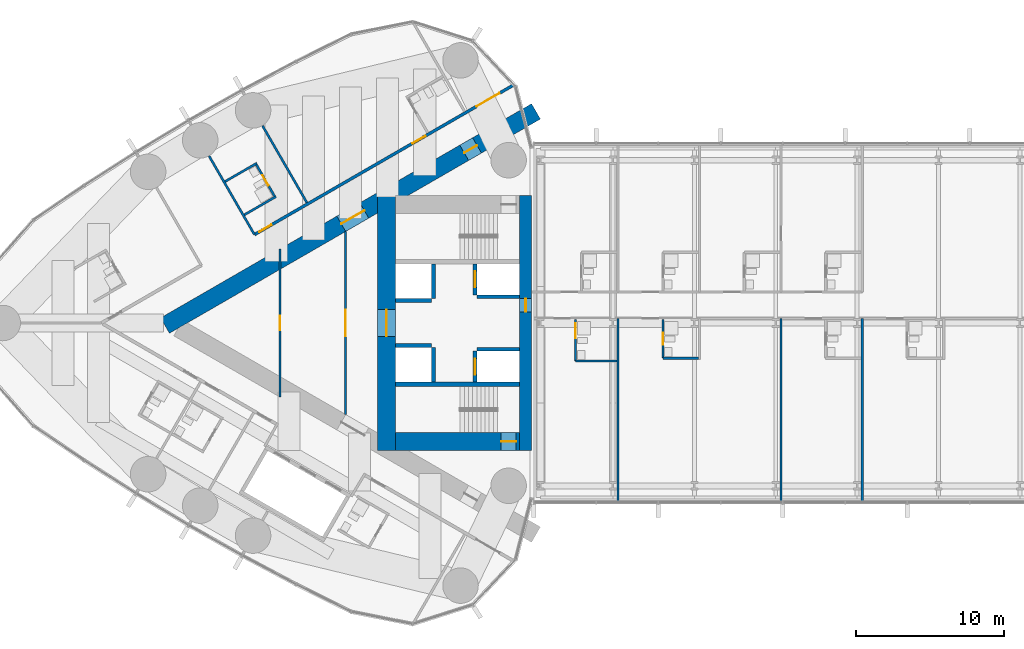
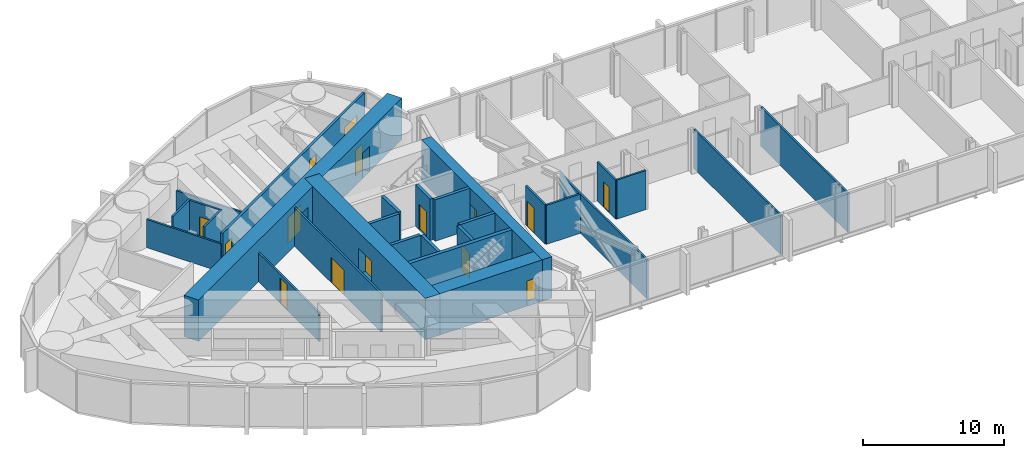
# One storey, part 15 of 22: 28 walls, 15 doors, 15 openings.
"""IFC4 building model written with IfcOpenShell, lengths in metres."""

from ifc_helpers import new_model, si_unit, direction, frame, frame_2d, origin, place, context, subcontext, project, spatial, rectangle, extrude, material, layer, layer_set, type_object, element, fill, save


model = new_model("IFC4")

# Units and contexts
model_context = context("Model", 3, precision=1e-05, world=origin(), true_north=direction((0.0, 1.0)))
body_context = subcontext(model_context, "Body", "Model", "MODEL_VIEW")
ifc_project = project(units=[si_unit("LENGTHUNIT", "METRE"), si_unit("AREAUNIT", "SQUARE_METRE"), si_unit("VOLUMEUNIT", "CUBIC_METRE"), si_unit("PLANEANGLEUNIT", "RADIAN"), si_unit("MASSUNIT", "GRAM", prefix="KILO")], contexts=[model_context])

# Site, building, storey
site_placement = place(None, origin())
site = spatial("IfcSite", under=ifc_project, at=site_placement, CompositionType="ELEMENT")
building_placement = place(site_placement, origin())
building = spatial("IfcBuilding", under=site, at=building_placement, Name="Lancet Gate Hotel", CompositionType="ELEMENT")
storey_placement = place(building_placement, frame((0.0, 0.0, 229.699951171875)))
storey = spatial("IfcBuildingStorey", under=building, at=storey_placement, Name="L61", CompositionType="ELEMENT", Elevation=229.699951171875)

# Wall
ifc_material_1 = material(Name="Moisture resistant board partition")
ifc_layer_1 = layer(ifc_material_1, 0.14990234375)
ifc_layer_set_1 = layer_set([ifc_layer_1], Name="Bathroom wall 150")
wall_type_1 = type_object("IfcWallType", Name="Bathroom wall 150", PredefinedType="PARTITIONING", material=ifc_layer_set_1)
wall_1_placement = place(storey_placement, frame((-46.065185546875, 10.798095703125, 0.0), z_axis=(0.0, 0.0, 1.0), x_axis=(-0.866031185235, -0.4999899861, 0.0)))
element("IfcWall", 1, at=wall_1_placement, inside=storey, type_object=wall_type_1, Name="T1 bathroom wall 150 L61", PredefinedType="PARTITIONING", context=body_context, shape_type="SweptSolid", body=[
    extrude(rectangle(XDim=2.47509765625, YDim=0.14990234375, at=frame_2d((1.237548828125, 0.0))), origin(), (0.0, 0.0, 1.0), 3.35009765625),
])

# Wall, opening, door
wall_2_placement = place(storey_placement, frame((-44.830322265625, 8.509033203125, 0.0), z_axis=(0.0, 0.0, 1.0), x_axis=(-0.499936506574, 0.866062058628, 0.0)))
wall_2 = element("IfcWall", 2, at=wall_2_placement, inside=storey, type_object=wall_type_1, Name="T1 bathroom wall 150 L61", PredefinedType="PARTITIONING", context=body_context, shape_type="SweptSolid", body=[
    extrude(rectangle(XDim=2.599853515625, YDim=0.14990234375, at=frame_2d((1.2998046875, 0.0))), origin(), (0.0, 0.0, 1.0), 3.35009765625),
])
opening_1_placement = place(wall_2_placement, frame((0.89990234375, 0.0, 0.0)))
opening_1 = element("IfcOpeningElement", 3, at=opening_1_placement, cuts=wall_2, Name="Opening 6103-B", PredefinedType="OPENING", context=body_context, shape_type="SweptSolid", body=[
    extrude(rectangle(XDim=0.800048828125, YDim=2.199951171875, at=frame_2d((0.39990234375, 1.10009765625))), frame((0.0, 0.0849609375, 0.0), z_axis=(0.0, -1.0, 0.0), x_axis=(1.0, 0.0, 0.0)), (0.0, 0.0, 1.0), 0.169921875),
])
ifc_material_2 = material(Name="Timber door set", Category="wood")
door_type_1 = type_object("IfcDoorType", Name="Bathroom door 800", OperationType="SINGLE_SWING_RIGHT", PredefinedType="DOOR", material=ifc_material_2)
door_1_placement = place(opening_1_placement, origin())
door_1 = element("IfcDoor", 4, at=door_1_placement, inside=storey, type_object=door_type_1, Name="6103-B", OperationType="SINGLE_SWING_RIGHT", OverallHeight=2.199951171875, OverallWidth=0.800048828125, PredefinedType="DOOR", context=body_context, shape_type="SweptSolid", body=[
    extrude(rectangle(XDim=0.800048828125, YDim=2.199951171875, at=frame_2d((0.39990234375, 1.10009765625))), frame((0.0, 0.02490234375, 0.0), z_axis=(0.0, -1.0, 0.0), x_axis=(1.0, 0.0, 0.0)), (0.0, 0.0, 1.0), 0.050048828125),
])
fill(opening_1, door_1)

# Walls
wall_3_placement = place(storey_placement, frame((-44.765380859375, 8.54638671875, 0.0), z_axis=(0.0, 0.0, 1.0), x_axis=(-0.86604923931, -0.499958713387, 0.0)))
element("IfcWall", 5, at=wall_3_placement, inside=storey, type_object=wall_type_1, Name="T1 bathroom wall 150 L61", PredefinedType="PARTITIONING", context=body_context, shape_type="SweptSolid", body=[
    extrude(rectangle(XDim=2.474853515625, YDim=0.14990234375, at=frame_2d((1.2373046875, 0.0))), origin(), (0.0, 0.0, 1.0), 3.35009765625),
])
wall_4_placement = place(storey_placement, frame((-24.52490234375, -2.574951171875, 0.0), z_axis=(0.0, 0.0, 1.0), x_axis=(1.0, 0.0, 0.0)))
element("IfcWall", 6, at=wall_4_placement, inside=storey, type_object=wall_type_1, Name="Bridge block bathroom wall 150 L61", PredefinedType="PARTITIONING", context=body_context, shape_type="SweptSolid", body=[
    extrude(rectangle(XDim=2.7998046875, YDim=0.14990234375, at=frame_2d((1.39990234375, 0.0))), origin(), (0.0, 0.0, 1.0), 3.400146484375),
])

# Wall, opening, door
wall_5_placement = place(storey_placement, frame((-24.52490234375, -2.574951171875, 0.0), z_axis=(0.0, 0.0, 1.0), x_axis=(0.0, 1.0, 0.0)))
wall_5 = element("IfcWall", 7, at=wall_5_placement, inside=storey, type_object=wall_type_1, Name="Bridge block bathroom wall 150 L61", PredefinedType="PARTITIONING", context=body_context, shape_type="SweptSolid", body=[
    extrude(rectangle(XDim=2.800048828125, YDim=0.14990234375, at=frame_2d((1.39990234375, 0.0))), origin(), (0.0, 0.0, 1.0), 3.400146484375),
])
opening_2_placement = place(wall_5_placement, frame((1.550048828125, 0.0, 0.0)))
opening_2 = element("IfcOpeningElement", 8, at=opening_2_placement, cuts=wall_5, Name="Opening B6101-B", PredefinedType="OPENING", context=body_context, shape_type="SweptSolid", body=[
    extrude(rectangle(XDim=1.0, YDim=2.199951171875, at=frame_2d((0.5, 1.10009765625))), frame((0.0, 0.0849609375, 0.0), z_axis=(0.0, -1.0, 0.0), x_axis=(1.0, 0.0, 0.0)), (0.0, 0.0, 1.0), 0.169921875),
])
ifc_material_3 = material(Name="Timber door set", Category="wood")
door_type_2 = type_object("IfcDoorType", Name="Accessible en-suite door 1000", OperationType="SINGLE_SWING_RIGHT", PredefinedType="DOOR", material=ifc_material_3)
door_2_placement = place(opening_2_placement, origin())
door_2 = element("IfcDoor", 9, at=door_2_placement, inside=storey, type_object=door_type_2, Name="B6101-B", OperationType="SINGLE_SWING_RIGHT", OverallHeight=2.199951171875, OverallWidth=1.0, PredefinedType="DOOR", context=body_context, shape_type="SweptSolid", body=[
    extrude(rectangle(XDim=1.0, YDim=2.199951171875, at=frame_2d((0.5, 1.10009765625))), frame((0.0, 0.02490234375, 0.0), z_axis=(0.0, -1.0, 0.0), x_axis=(1.0, 0.0, 0.0)), (0.0, 0.0, 1.0), 0.050048828125),
])
fill(opening_2, door_2)

# Wall
wall_6_placement = place(storey_placement, frame((-18.625, -2.375, 0.0), z_axis=(0.0, 0.0, 1.0), x_axis=(1.0, 0.0, 0.0)))
element("IfcWall", 10, at=wall_6_placement, inside=storey, type_object=wall_type_1, Name="Bridge block bathroom wall 150 L61", PredefinedType="PARTITIONING", context=body_context, shape_type="SweptSolid", body=[
    extrude(rectangle(XDim=2.39990234375, YDim=0.14990234375, at=frame_2d((1.199951171875, 0.0))), origin(), (0.0, 0.0, 1.0), 3.400146484375),
])

# Wall, opening, door
wall_7_placement = place(storey_placement, frame((-18.625, -2.375, 0.0), z_axis=(0.0, 0.0, 1.0), x_axis=(0.0, 1.0, 0.0)))
wall_7 = element("IfcWall", 11, at=wall_7_placement, inside=storey, type_object=wall_type_1, Name="Bridge block bathroom wall 150 L61", PredefinedType="PARTITIONING", context=body_context, shape_type="SweptSolid", body=[
    extrude(rectangle(XDim=2.60009765625, YDim=0.14990234375, at=frame_2d((1.300048828125, 0.0))), origin(), (0.0, 0.0, 1.0), 3.400146484375),
])
opening_3_placement = place(wall_7_placement, frame((0.89990234375, 0.0, 0.0)))
opening_3 = element("IfcOpeningElement", 12, at=opening_3_placement, cuts=wall_7, Name="Opening B6102-B", PredefinedType="OPENING", context=body_context, shape_type="SweptSolid", body=[
    extrude(rectangle(XDim=0.800048828125, YDim=2.199951171875, at=frame_2d((0.39990234375, 1.10009765625))), frame((0.0, 0.0849609375, 0.0), z_axis=(0.0, -1.0, 0.0), x_axis=(1.0, 0.0, 0.0)), (0.0, 0.0, 1.0), 0.169921875),
])
door_3_placement = place(opening_3_placement, origin())
door_3 = element("IfcDoor", 13, at=door_3_placement, inside=storey, type_object=door_type_1, Name="B6102-B", OperationType="SINGLE_SWING_RIGHT", OverallHeight=2.199951171875, OverallWidth=0.800048828125, PredefinedType="DOOR", context=body_context, shape_type="SweptSolid", body=[
    extrude(rectangle(XDim=0.800048828125, YDim=2.199951171875, at=frame_2d((0.39990234375, 1.10009765625))), frame((0.0, 0.02490234375, 0.0), z_axis=(0.0, -1.0, 0.0), x_axis=(1.0, 0.0, 0.0)), (0.0, 0.0, 1.0), 0.050048828125),
])
fill(opening_3, door_3)

# Wall, openings, doors
ifc_material_4 = material(Name="Concrete C70/85", Category="concrete")
ifc_layer_2 = layer(ifc_material_4, 1.199951171875)
ifc_layer_set_2 = layer_set([ifc_layer_2], Name="Buttress wall 1200")
wall_type_2 = type_object("IfcWallType", Name="Buttress wall 1200", PredefinedType="SHEAR", material=ifc_layer_set_2)
wall_8_placement = place(storey_placement, frame((-27.199951171875, 14.300048828125, 0.0), z_axis=(0.0, 0.0, 1.0), x_axis=(-0.866026593062, -0.499997940104, 0.0)))
wall_8 = element("IfcWall", 14, at=wall_8_placement, inside=storey, type_object=wall_type_2, Name="T1 buttress wall S L61", PredefinedType="SHEAR", context=body_context, shape_type="SweptSolid", body=[
    extrude(rectangle(XDim=28.9462890625, YDim=1.199951171875, at=frame_2d((14.47314453125, 0.0))), origin(), (0.0, 0.0, 1.0), 3.60009765625),
])
opening_4_placement = place(wall_8_placement, frame((4.60009765625, 0.0, 0.0)))
opening_4 = element("IfcOpeningElement", 15, at=opening_4_placement, cuts=wall_8, Name="Opening T1-L61-LS", PredefinedType="OPENING", context=body_context, shape_type="SweptSolid", body=[
    extrude(rectangle(XDim=1.0, YDim=2.199951171875, at=frame_2d((0.5, 1.10009765625))), frame((0.0, 0.60986328125, 0.0), z_axis=(0.0, -1.0, 0.0), x_axis=(1.0, 0.0, 0.0)), (0.0, 0.0, 1.0), 1.219970703125),
])
opening_5_placement = place(wall_8_placement, frame((13.39453125, 0.0, 0.0)))
opening_5 = element("IfcOpeningElement", 16, at=opening_5_placement, cuts=wall_8, Name="Opening T1-L61-LHS", PredefinedType="OPENING", context=body_context, shape_type="SweptSolid", body=[
    extrude(rectangle(XDim=1.800048828125, YDim=2.199951171875, at=frame_2d((0.89990234375, 1.10009765625))), frame((0.0, 0.60986328125, 0.0), z_axis=(0.0, -1.0, 0.0), x_axis=(1.0, 0.0, 0.0)), (0.0, 0.0, 1.0), 1.219970703125),
])
ifc_material_5 = material(Name="Timber door set", Category="wood")
door_type_3 = type_object("IfcDoorType", Name="Lobby double door 1800", OperationType="DOUBLE_DOOR_SINGLE_SWING", PredefinedType="DOOR", material=ifc_material_5)
door_4_placement = place(opening_5_placement, origin())
door_4 = element("IfcDoor", 17, at=door_4_placement, inside=storey, type_object=door_type_3, Name="T1-L61-LHS", OperationType="DOUBLE_DOOR_SINGLE_SWING", OverallHeight=2.199951171875, OverallWidth=1.800048828125, PredefinedType="DOOR", context=body_context, shape_type="SweptSolid", body=[
    extrude(rectangle(XDim=1.800048828125, YDim=2.199951171875, at=frame_2d((0.89990234375, 1.10009765625))), frame((0.0, 0.02490234375, 0.0), z_axis=(0.0, -1.0, 0.0), x_axis=(1.0, 0.0, 0.0)), (0.0, 0.0, 1.0), 0.050048828125),
])
fill(opening_5, door_4)
ifc_material_6 = material(Name="Timber door set", Category="wood")
door_type_4 = type_object("IfcDoorType", Name="Stair lobby door 1000", OperationType="SINGLE_SWING_LEFT", PredefinedType="DOOR", material=ifc_material_6)
door_5_placement = place(opening_4_placement, origin())
door_5 = element("IfcDoor", 18, at=door_5_placement, inside=storey, type_object=door_type_4, Name="T1-L61-LS", OperationType="SINGLE_SWING_LEFT", OverallHeight=2.199951171875, OverallWidth=1.0, PredefinedType="DOOR", context=body_context, shape_type="SweptSolid", body=[
    extrude(rectangle(XDim=1.0, YDim=2.199951171875, at=frame_2d((0.5, 1.10009765625))), frame((0.0, 0.02490234375, 0.0), z_axis=(0.0, -1.0, 0.0), x_axis=(1.0, 0.0, 0.0)), (0.0, 0.0, 1.0), 0.050048828125),
])
fill(opening_4, door_5)

# Wall, opening, door
ifc_material_7 = material(Name="Concrete C70/85", Category="concrete")
ifc_layer_3 = layer(ifc_material_7, 1.199951171875)
ifc_layer_set_3 = layer_set([ifc_layer_3], Name="Core wall 1200")
wall_type_3 = type_object("IfcWallType", Name="Core wall 1200", PredefinedType="SHEAR", material=ifc_layer_set_3)
wall_9_placement = place(storey_placement, frame((-37.300048828125, 8.60009765625, 0.0), z_axis=(0.0, 0.0, 1.0), x_axis=(0.0, -1.0, 0.0)))
wall_9 = element("IfcWall", 19, at=wall_9_placement, inside=storey, type_object=wall_type_3, Name="T1 core wall back L61", PredefinedType="SHEAR", context=body_context, shape_type="SweptSolid", body=[
    extrude(rectangle(XDim=17.2001953125, YDim=1.199951171875, at=frame_2d((8.60009765625, 0.0))), origin(), (0.0, 0.0, 1.0), 3.60009765625),
])
opening_6_placement = place(wall_9_placement, frame((7.699951171875, 0.0, 0.0)))
opening_6 = element("IfcOpeningElement", 20, at=opening_6_placement, cuts=wall_9, Name="Opening T1-L61-LL", PredefinedType="OPENING", context=body_context, shape_type="SweptSolid", body=[
    extrude(rectangle(XDim=1.800048828125, YDim=2.199951171875, at=frame_2d((0.89990234375, 1.10009765625))), frame((0.0, 0.60986328125, 0.0), z_axis=(0.0, -1.0, 0.0), x_axis=(1.0, 0.0, 0.0)), (0.0, 0.0, 1.0), 1.219970703125),
])
door_6_placement = place(opening_6_placement, origin())
door_6 = element("IfcDoor", 21, at=door_6_placement, inside=storey, type_object=door_type_3, Name="T1-L61-LL", OperationType="DOUBLE_DOOR_SINGLE_SWING", OverallHeight=2.199951171875, OverallWidth=1.800048828125, PredefinedType="DOOR", context=body_context, shape_type="SweptSolid", body=[
    extrude(rectangle(XDim=1.800048828125, YDim=2.199951171875, at=frame_2d((0.89990234375, 1.10009765625))), frame((0.0, 0.02490234375, 0.0), z_axis=(0.0, -1.0, 0.0), x_axis=(1.0, 0.0, 0.0)), (0.0, 0.0, 1.0), 0.050048828125),
])
fill(opening_6, door_6)

wall_10_placement = place(storey_placement, frame((-28.300048828125, -8.0, 0.0), z_axis=(0.0, 0.0, 1.0), x_axis=(-1.0, 0.0, 0.0)))
wall_10 = element("IfcWall", 22, at=wall_10_placement, inside=storey, type_object=wall_type_3, Name="T1 core wall side-N L61", PredefinedType="SHEAR", context=body_context, shape_type="SweptSolid", body=[
    extrude(rectangle(XDim=8.39990234375, YDim=1.199951171875, at=frame_2d((4.199951171875, 0.0))), origin(), (0.0, 0.0, 1.0), 3.60009765625),
])
opening_7_placement = place(wall_10_placement, frame((0.25, 0.0, 0.0)))
opening_7 = element("IfcOpeningElement", 23, at=opening_7_placement, cuts=wall_10, Name="Opening T1-L61-ST2", PredefinedType="OPENING", context=body_context, shape_type="SweptSolid", body=[
    extrude(rectangle(XDim=1.0, YDim=2.199951171875, at=frame_2d((0.5, 1.10009765625))), frame((0.0, 0.60986328125, 0.0), z_axis=(0.0, -1.0, 0.0), x_axis=(1.0, 0.0, 0.0)), (0.0, 0.0, 1.0), 1.219970703125),
])
ifc_material_8 = material(Name="Timber door set", Category="wood")
door_type_5 = type_object("IfcDoorType", Name="Stair door 1000", OperationType="SINGLE_SWING_RIGHT", PredefinedType="DOOR", material=ifc_material_8)
door_7_placement = place(opening_7_placement, origin())
door_7 = element("IfcDoor", 24, at=door_7_placement, inside=storey, type_object=door_type_5, Name="T1-L61-ST2", OperationType="SINGLE_SWING_RIGHT", OverallHeight=2.199951171875, OverallWidth=1.0, PredefinedType="DOOR", context=body_context, shape_type="SweptSolid", body=[
    extrude(rectangle(XDim=1.0, YDim=2.199951171875, at=frame_2d((0.5, 1.10009765625))), frame((0.0, 0.02490234375, 0.0), z_axis=(0.0, -1.0, 0.0), x_axis=(1.0, 0.0, 0.0)), (0.0, 0.0, 1.0), 0.050048828125),
])
fill(opening_7, door_7)

ifc_material_9 = material(Name="Concrete C70/85", Category="concrete")
ifc_layer_4 = layer(ifc_material_9, 0.800048828125)
ifc_layer_set_4 = layer_set([ifc_layer_4], Name="Core wall 800")
wall_type_4 = type_object("IfcWallType", Name="Core wall 800", PredefinedType="SHEAR", material=ifc_layer_set_4)
wall_11_placement = place(storey_placement, frame((-27.89990234375, 8.60009765625, 0.0), z_axis=(0.0, 0.0, 1.0), x_axis=(0.0, -1.0, 0.0)))
wall_11 = element("IfcWall", 25, at=wall_11_placement, inside=storey, type_object=wall_type_4, Name="T1 core wall front L61", PredefinedType="SHEAR", context=body_context, shape_type="SweptSolid", body=[
    extrude(rectangle(XDim=17.2001953125, YDim=0.800048828125, at=frame_2d((8.60009765625, 0.0))), origin(), (0.0, 0.0, 1.0), 3.60009765625),
])
opening_8_placement = place(wall_11_placement, frame((6.949951171875, 0.0, 0.0)))
opening_8 = element("IfcOpeningElement", 26, at=opening_8_placement, cuts=wall_11, Name="Opening T1-L61-BR", PredefinedType="OPENING", context=body_context, shape_type="SweptSolid", body=[
    extrude(rectangle(XDim=0.89990234375, YDim=2.199951171875, at=frame_2d((0.449951171875, 1.10009765625))), frame((0.0, 0.409912109375, 0.0), z_axis=(0.0, -1.0, 0.0), x_axis=(1.0, 0.0, 0.0)), (0.0, 0.0, 1.0), 0.820068359375),
])
ifc_material_10 = material(Name="Steel door set", Category="steel")
door_type_6 = type_object("IfcDoorType", Name="Bridge fire door 900", OperationType="SINGLE_SWING_LEFT", PredefinedType="DOOR", material=ifc_material_10)
door_8_placement = place(opening_8_placement, origin())
door_8 = element("IfcDoor", 27, at=door_8_placement, inside=storey, type_object=door_type_6, Name="T1-L61-BR", OperationType="SINGLE_SWING_LEFT", OverallHeight=2.199951171875, OverallWidth=0.89990234375, PredefinedType="DOOR", context=body_context, shape_type="SweptSolid", body=[
    extrude(rectangle(XDim=0.89990234375, YDim=2.199951171875, at=frame_2d((0.449951171875, 1.10009765625))), frame((0.0, 0.02490234375, 0.0), z_axis=(0.0, -1.0, 0.0), x_axis=(1.0, 0.0, 0.0)), (0.0, 0.0, 1.0), 0.050048828125),
])
fill(opening_8, door_8)

# Wall, openings, doors
ifc_material_11 = material(Name="Gypsum board partition")
ifc_layer_5 = layer(ifc_material_11, 0.199951171875)
ifc_layer_set_5 = layer_set([ifc_layer_5], Name="Corridor wall 200")
wall_type_5 = type_object("IfcWallType", Name="Corridor wall 200", PredefinedType="PARTITIONING", material=ifc_layer_set_5)
wall_12_placement = place(storey_placement, frame((-28.737060546875, 16.068359375, 0.0), z_axis=(0.0, 0.0, 1.0), x_axis=(-0.866023901326, -0.500002602325, 0.0)))
wall_12 = element("IfcWall", 28, at=wall_12_placement, inside=storey, type_object=wall_type_5, Name="T1 corridor wall 200 L61", PredefinedType="PARTITIONING", context=body_context, shape_type="SweptSolid", body=[
    extrude(rectangle(XDim=20.19189453125, YDim=0.199951171875, at=frame_2d((10.095947265625, 0.0))), origin(), (0.0, 0.0, 1.0), 3.35009765625),
])
opening_9_placement = place(wall_12_placement, frame((1.080078125, 0.0, 0.0)))
opening_9 = element("IfcOpeningElement", 29, at=opening_9_placement, cuts=wall_12, Name="Opening 6101-E", PredefinedType="OPENING", context=body_context, shape_type="SweptSolid", body=[
    extrude(rectangle(XDim=1.800048828125, YDim=2.0400390625, at=frame_2d((0.89990234375, 1.02001953125))), frame((0.0, 0.10986328125, 0.0), z_axis=(0.0, -1.0, 0.0), x_axis=(1.0, 0.0, 0.0)), (0.0, 0.0, 1.0), 0.219970703125),
])
opening_10_placement = place(wall_12_placement, frame((6.860107421875, 0.0, 0.0)))
opening_10 = element("IfcOpeningElement", 30, at=opening_10_placement, cuts=wall_12, Name="Opening 6102-E", PredefinedType="OPENING", context=body_context, shape_type="SweptSolid", body=[
    extrude(rectangle(XDim=1.0, YDim=2.199951171875, at=frame_2d((0.5, 1.10009765625))), frame((0.0, 0.10986328125, 0.0), z_axis=(0.0, -1.0, 0.0), x_axis=(1.0, 0.0, 0.0)), (0.0, 0.0, 1.0), 0.219970703125),
])
opening_11_placement = place(wall_12_placement, frame((18.866943359375, 0.0, 0.0)))
opening_11 = element("IfcOpeningElement", 31, at=opening_11_placement, cuts=wall_12, Name="Opening 6103-E", PredefinedType="OPENING", context=body_context, shape_type="SweptSolid", body=[
    extrude(rectangle(XDim=0.949951171875, YDim=2.199951171875, at=frame_2d((0.47509765625, 1.10009765625))), frame((0.0, 0.10986328125, 0.0), z_axis=(0.0, -1.0, 0.0), x_axis=(1.0, 0.0, 0.0)), (0.0, 0.0, 1.0), 0.219970703125),
])
ifc_material_12 = material(Name="Timber door set", Category="wood")
door_type_7 = type_object("IfcDoorType", Name="Accessible guest room door 1000", OperationType="SINGLE_SWING_LEFT", PredefinedType="DOOR", material=ifc_material_12)
door_9_placement = place(opening_10_placement, origin())
door_9 = element("IfcDoor", 32, at=door_9_placement, inside=storey, type_object=door_type_7, Name="6102-E", OperationType="SINGLE_SWING_LEFT", OverallHeight=2.199951171875, OverallWidth=1.0, PredefinedType="DOOR", context=body_context, shape_type="SweptSolid", body=[
    extrude(rectangle(XDim=1.0, YDim=2.199951171875, at=frame_2d((0.5, 1.10009765625))), frame((0.0, 0.02490234375, 0.0), z_axis=(0.0, -1.0, 0.0), x_axis=(1.0, 0.0, 0.0)), (0.0, 0.0, 1.0), 0.050048828125),
])
fill(opening_10, door_9)
ifc_material_13 = material(Name="Timber door set", Category="wood")
door_type_8 = type_object("IfcDoorType", Name="Double door 1800, 2040 high", OperationType="DOUBLE_DOOR_SINGLE_SWING", PredefinedType="DOOR", material=ifc_material_13)
door_10_placement = place(opening_9_placement, origin())
door_10 = element("IfcDoor", 33, at=door_10_placement, inside=storey, type_object=door_type_8, Name="6101-E", OperationType="DOUBLE_DOOR_SINGLE_SWING", OverallHeight=2.0400390625, OverallWidth=1.800048828125, PredefinedType="DOOR", context=body_context, shape_type="SweptSolid", body=[
    extrude(rectangle(XDim=1.800048828125, YDim=2.0400390625, at=frame_2d((0.89990234375, 1.02001953125))), frame((0.0, 0.02490234375, 0.0), z_axis=(0.0, -1.0, 0.0), x_axis=(1.0, 0.0, 0.0)), (0.0, 0.0, 1.0), 0.050048828125),
])
fill(opening_9, door_10)
ifc_material_14 = material(Name="Timber door set", Category="wood")
door_type_9 = type_object("IfcDoorType", Name="Guest room entry door 950", OperationType="SINGLE_SWING_LEFT", PredefinedType="DOOR", material=ifc_material_14)
door_11_placement = place(opening_11_placement, origin())
door_11 = element("IfcDoor", 34, at=door_11_placement, inside=storey, type_object=door_type_9, Name="6103-E", OperationType="SINGLE_SWING_LEFT", OverallHeight=2.199951171875, OverallWidth=0.949951171875, PredefinedType="DOOR", context=body_context, shape_type="SweptSolid", body=[
    extrude(rectangle(XDim=0.949951171875, YDim=2.199951171875, at=frame_2d((0.47509765625, 1.10009765625))), frame((0.0, 0.02490234375, 0.0), z_axis=(0.0, -1.0, 0.0), x_axis=(1.0, 0.0, 0.0)), (0.0, 0.0, 1.0), 0.050048828125),
])
fill(opening_11, door_11)

# Wall, opening, door
ifc_material_15 = material(Name="Concrete C50/60", Category="concrete")
ifc_layer_6 = layer(ifc_material_15, 0.25)
ifc_layer_set_6 = layer_set([ifc_layer_6], Name="Lift shaft wall 250")
wall_type_6 = type_object("IfcWallType", Name="Lift shaft wall 250", PredefinedType="SHEAR", material=ifc_layer_set_6)
wall_13_placement = place(storey_placement, frame((-31.324951171875, 4.0, 0.0), z_axis=(0.0, 0.0, 1.0), x_axis=(0.0, -1.0, 0.0)))
wall_13 = element("IfcWall", 35, at=wall_13_placement, inside=storey, type_object=wall_type_6, Name="T1 core wall row1-S L61", PredefinedType="SHEAR", context=body_context, shape_type="SweptSolid", body=[
    extrude(rectangle(XDim=2.10009765625, YDim=0.25, at=frame_2d((1.050048828125, 0.0))), origin(), (0.0, 0.0, 1.0), 3.60009765625),
])
opening_12_placement = place(wall_13_placement, frame((0.5, 0.0, 0.0)))
opening_12 = element("IfcOpeningElement", 36, at=opening_12_placement, cuts=wall_13, Name="Opening T1-SL1-L61", PredefinedType="OPENING", context=body_context, shape_type="SweptSolid", body=[
    extrude(rectangle(XDim=1.10009765625, YDim=2.199951171875, at=frame_2d((0.550048828125, 1.10009765625))), frame((0.0, 0.135009765625, 0.0), z_axis=(0.0, -1.0, 0.0), x_axis=(1.0, 0.0, 0.0)), (0.0, 0.0, 1.0), 0.27001953125),
])
ifc_material_16 = material(Name="Timber door set", Category="wood")
door_type_10 = type_object("IfcDoorType", Name="Service lift landing door 1100", OperationType="SLIDING_TO_LEFT", PredefinedType="USERDEFINED", material=ifc_material_16)
door_12_placement = place(opening_12_placement, origin())
door_12 = element("IfcDoor", 37, at=door_12_placement, inside=storey, type_object=door_type_10, Name="T1-SL1-L61", ObjectType="LIFT LANDING DOOR", OperationType="SLIDING_TO_LEFT", OverallHeight=2.199951171875, OverallWidth=1.10009765625, PredefinedType="USERDEFINED", context=body_context, shape_type="SweptSolid", body=[
    extrude(rectangle(XDim=1.10009765625, YDim=2.199951171875, at=frame_2d((0.550048828125, 1.10009765625))), frame((0.0, 0.02490234375, 0.0), z_axis=(0.0, -1.0, 0.0), x_axis=(1.0, 0.0, 0.0)), (0.0, 0.0, 1.0), 0.050048828125),
])
fill(opening_12, door_12)

# Walls
wall_14_placement = place(storey_placement, frame((-34.125, 4.0, 0.0), z_axis=(0.0, 0.0, 1.0), x_axis=(0.0, -1.0, 0.0)))
element("IfcWall", 38, at=wall_14_placement, inside=storey, type_object=wall_type_6, Name="T1 core wall row2-S L61", PredefinedType="SHEAR", context=body_context, shape_type="SweptSolid", body=[
    extrude(rectangle(XDim=2.35009765625, YDim=0.25, at=frame_2d((1.175048828125, 0.0))), origin(), (0.0, 0.0, 1.0), 3.60009765625),
])
wall_15_placement = place(storey_placement, frame((-28.300048828125, 1.77490234375, 0.0), z_axis=(0.0, 0.0, 1.0), x_axis=(-1.0, 0.0, 0.0)))
element("IfcWall", 39, at=wall_15_placement, inside=storey, type_object=wall_type_6, Name="T1 core wall pass1-S L61", PredefinedType="SHEAR", context=body_context, shape_type="SweptSolid", body=[
    extrude(rectangle(XDim=2.89990234375, YDim=0.25, at=frame_2d((1.449951171875, 0.0))), origin(), (0.0, 0.0, 1.0), 3.60009765625),
])
wall_16_placement = place(storey_placement, frame((-34.25, 1.52490234375, 0.0), z_axis=(0.0, 0.0, 1.0), x_axis=(-1.0, 0.0, 0.0)))
element("IfcWall", 40, at=wall_16_placement, inside=storey, type_object=wall_type_6, Name="T1 core wall pass2-S L61", PredefinedType="SHEAR", context=body_context, shape_type="SweptSolid", body=[
    extrude(rectangle(XDim=2.449951171875, YDim=0.25, at=frame_2d((1.22509765625, 0.0))), origin(), (0.0, 0.0, 1.0), 3.60009765625),
])

# Wall, opening, door
wall_17_placement = place(storey_placement, frame((-31.324951171875, -1.89990234375, 0.0), z_axis=(0.0, 0.0, 1.0), x_axis=(0.0, -1.0, 0.0)))
wall_17 = element("IfcWall", 41, at=wall_17_placement, inside=storey, type_object=wall_type_6, Name="T1 core wall row1-N L61", PredefinedType="SHEAR", context=body_context, shape_type="SweptSolid", body=[
    extrude(rectangle(XDim=2.10009765625, YDim=0.25, at=frame_2d((1.050048828125, 0.0))), origin(), (0.0, 0.0, 1.0), 3.60009765625),
])
opening_13_placement = place(wall_17_placement, frame((0.5, 0.0, 0.0)))
opening_13 = element("IfcOpeningElement", 42, at=opening_13_placement, cuts=wall_17, Name="Opening T1-FL2-L61", PredefinedType="OPENING", context=body_context, shape_type="SweptSolid", body=[
    extrude(rectangle(XDim=1.10009765625, YDim=2.199951171875, at=frame_2d((0.550048828125, 1.10009765625))), frame((0.0, 0.135009765625, 0.0), z_axis=(0.0, -1.0, 0.0), x_axis=(1.0, 0.0, 0.0)), (0.0, 0.0, 1.0), 0.27001953125),
])
ifc_material_17 = material(Name="Steel door set", Category="steel")
door_type_11 = type_object("IfcDoorType", Name="Firefighting lift landing door 1100", OperationType="SLIDING_TO_LEFT", PredefinedType="USERDEFINED", material=ifc_material_17)
door_13_placement = place(opening_13_placement, origin())
door_13 = element("IfcDoor", 43, at=door_13_placement, inside=storey, type_object=door_type_11, Name="T1-FL2-L61", ObjectType="LIFT LANDING DOOR", OperationType="SLIDING_TO_LEFT", OverallHeight=2.199951171875, OverallWidth=1.10009765625, PredefinedType="USERDEFINED", context=body_context, shape_type="SweptSolid", body=[
    extrude(rectangle(XDim=1.10009765625, YDim=2.199951171875, at=frame_2d((0.550048828125, 1.10009765625))), frame((0.0, 0.02490234375, 0.0), z_axis=(0.0, -1.0, 0.0), x_axis=(1.0, 0.0, 0.0)), (0.0, 0.0, 1.0), 0.050048828125),
])
fill(opening_13, door_13)

# Walls
wall_18_placement = place(storey_placement, frame((-34.125, -1.64990234375, 0.0), z_axis=(0.0, 0.0, 1.0), x_axis=(0.0, -1.0, 0.0)))
element("IfcWall", 44, at=wall_18_placement, inside=storey, type_object=wall_type_6, Name="T1 core wall row2-N L61", PredefinedType="SHEAR", context=body_context, shape_type="SweptSolid", body=[
    extrude(rectangle(XDim=2.35009765625, YDim=0.25, at=frame_2d((1.175048828125, 0.0))), origin(), (0.0, 0.0, 1.0), 3.60009765625),
])
wall_19_placement = place(storey_placement, frame((-28.300048828125, -1.77490234375, 0.0), z_axis=(0.0, 0.0, 1.0), x_axis=(-1.0, 0.0, 0.0)))
element("IfcWall", 45, at=wall_19_placement, inside=storey, type_object=wall_type_6, Name="T1 core wall pass1-N L61", PredefinedType="SHEAR", context=body_context, shape_type="SweptSolid", body=[
    extrude(rectangle(XDim=2.89990234375, YDim=0.25, at=frame_2d((1.449951171875, 0.0))), origin(), (0.0, 0.0, 1.0), 3.60009765625),
])
wall_20_placement = place(storey_placement, frame((-34.25, -1.52490234375, 0.0), z_axis=(0.0, 0.0, 1.0), x_axis=(-1.0, 0.0, 0.0)))
element("IfcWall", 46, at=wall_20_placement, inside=storey, type_object=wall_type_6, Name="T1 core wall pass2-N L61", PredefinedType="SHEAR", context=body_context, shape_type="SweptSolid", body=[
    extrude(rectangle(XDim=2.449951171875, YDim=0.25, at=frame_2d((1.22509765625, 0.0))), origin(), (0.0, 0.0, 1.0), 3.60009765625),
])
ifc_material_18 = material(Name="Gypsum board partition")
ifc_layer_7 = layer(ifc_material_18, 0.14990234375)
ifc_layer_set_7 = layer_set([ifc_layer_7], Name="Party wall 150")
wall_type_7 = type_object("IfcWallType", Name="Party wall 150", PredefinedType="PARTITIONING", material=ifc_layer_set_7)
wall_21_placement = place(storey_placement, frame((-42.680419921875, 8.133544921875, 0.0), z_axis=(0.0, 0.0, 1.0), x_axis=(-0.499984479505, 0.866034364361, 0.0)))
element("IfcWall", 47, at=wall_21_placement, inside=storey, type_object=wall_type_7, Name="T1 party wall 150 L61", PredefinedType="PARTITIONING", context=body_context, shape_type="SweptSolid", body=[
    extrude(rectangle(XDim=5.995361328125, YDim=0.14990234375, at=frame_2d((2.99755859375, 0.0))), origin(), (0.0, 0.0, 1.0), 2.449951171875),
])
wall_22_placement = place(storey_placement, frame((-46.2236328125, 5.972412109375, 0.0), z_axis=(0.0, 0.0, 1.0), x_axis=(-0.500021351822, 0.866013075953, 0.0)))
element("IfcWall", 48, at=wall_22_placement, inside=storey, type_object=wall_type_7, Name="T1 party wall 150 L61", PredefinedType="PARTITIONING", context=body_context, shape_type="SweptSolid", body=[
    extrude(rectangle(XDim=6.127685546875, YDim=0.14990234375, at=frame_2d((3.06396484375, 0.0))), origin(), (0.0, 0.0, 1.0), 2.449951171875),
])
for number, where, z_axis, x_axis, name in (
    (49, (-21.64990234375, -12.070068359375, 0.0), (0.0, 0.0, 1.0), (0.0, 1.0, 0.0), "Bridge block party wall 150 L61"),
    (50, (-10.64990234375, -12.070068359375, 0.0), (0.0, 0.0, 1.0), (0.0, 1.0, 0.0), "Bridge block party wall 150 L61"),
    (51, (-5.14990234375, -12.070068359375, 0.0), (0.0, 0.0, 1.0), (0.0, 1.0, 0.0), "Bridge block party wall 150 L61"),
):
    element("IfcWall", number, at=place(storey_placement, frame(where, z_axis=z_axis, x_axis=x_axis)), inside=storey, type_object=wall_type_7, Name=name, PredefinedType="PARTITIONING", context=body_context, shape_type="SweptSolid", body=[
        extrude(rectangle(XDim=12.3701171875, YDim=0.14990234375, at=frame_2d((6.18505859375, 0.0))), origin(), (0.0, 0.0, 1.0), 3.400146484375),
    ])

# Wall, opening, door
ifc_material_19 = material(Name="Gypsum board partition")
ifc_layer_8 = layer(ifc_material_19, 0.14990234375)
ifc_layer_set_8 = layer_set([ifc_layer_8], Name="Service room wall 150")
wall_type_8 = type_object("IfcWallType", Name="Service room wall 150", PredefinedType="PARTITIONING", material=ifc_layer_set_8)
wall_23_placement = place(storey_placement, frame((-40.074951171875, 6.173828125, 0.0), z_axis=(0.0, 0.0, 1.0), x_axis=(0.0, -1.0, 0.0)))
wall_23 = element("IfcWall", 52, at=wall_23_placement, inside=storey, type_object=wall_type_8, Name="T1 service room wall 150 L61", PredefinedType="PARTITIONING", context=body_context, shape_type="SweptSolid", body=[
    extrude(rectangle(XDim=12.34765625, YDim=0.14990234375, at=frame_2d((6.173828125, 0.0))), origin(), (0.0, 0.0, 1.0), 3.35009765625),
])
opening_14_placement = place(wall_23_placement, frame((5.273681640625, 0.0, 0.0)))
opening_14 = element("IfcOpeningElement", 53, at=opening_14_placement, cuts=wall_23, Name="Opening T1-L61-LH", PredefinedType="OPENING", context=body_context, shape_type="SweptSolid", body=[
    extrude(rectangle(XDim=1.800048828125, YDim=2.199951171875, at=frame_2d((0.89990234375, 1.10009765625))), frame((0.0, 0.0849609375, 0.0), z_axis=(0.0, -1.0, 0.0), x_axis=(1.0, 0.0, 0.0)), (0.0, 0.0, 1.0), 0.169921875),
])
door_14_placement = place(opening_14_placement, origin())
door_14 = element("IfcDoor", 54, at=door_14_placement, inside=storey, type_object=door_type_3, Name="T1-L61-LH", OperationType="DOUBLE_DOOR_SINGLE_SWING", OverallHeight=2.199951171875, OverallWidth=1.800048828125, PredefinedType="DOOR", context=body_context, shape_type="SweptSolid", body=[
    extrude(rectangle(XDim=1.800048828125, YDim=2.199951171875, at=frame_2d((0.89990234375, 1.10009765625))), frame((0.0, 0.02490234375, 0.0), z_axis=(0.0, -1.0, 0.0), x_axis=(1.0, 0.0, 0.0)), (0.0, 0.0, 1.0), 0.050048828125),
])
fill(opening_14, door_14)

wall_24_placement = place(storey_placement, frame((-44.5, 5.004638671875, 0.0), z_axis=(0.0, 0.0, 1.0), x_axis=(0.0, -1.0, 0.0)))
wall_24 = element("IfcWall", 55, at=wall_24_placement, inside=storey, type_object=wall_type_8, Name="T1 service room wall 150 L61", PredefinedType="PARTITIONING", context=body_context, shape_type="SweptSolid", body=[
    extrude(rectangle(XDim=10.00927734375, YDim=0.14990234375, at=frame_2d((5.004638671875, 0.0))), origin(), (0.0, 0.0, 1.0), 2.5),
])
opening_15_placement = place(wall_24_placement, frame((4.504638671875, 0.0, 0.0)))
opening_15 = element("IfcOpeningElement", 56, at=opening_15_placement, cuts=wall_24, Name="Opening T1-L61-SV", PredefinedType="OPENING", context=body_context, shape_type="SweptSolid", body=[
    extrude(rectangle(XDim=1.0, YDim=2.199951171875, at=frame_2d((0.5, 1.10009765625))), frame((0.0, 0.0849609375, 0.0), z_axis=(0.0, -1.0, 0.0), x_axis=(1.0, 0.0, 0.0)), (0.0, 0.0, 1.0), 0.169921875),
])
ifc_material_20 = material(Name="Timber door set", Category="wood")
door_type_12 = type_object("IfcDoorType", Name="Service door 1000", OperationType="SINGLE_SWING_LEFT", PredefinedType="DOOR", material=ifc_material_20)
door_15_placement = place(opening_15_placement, origin())
door_15 = element("IfcDoor", 57, at=door_15_placement, inside=storey, type_object=door_type_12, Name="T1-L61-SV", OperationType="SINGLE_SWING_LEFT", OverallHeight=2.199951171875, OverallWidth=1.0, PredefinedType="DOOR", context=body_context, shape_type="SweptSolid", body=[
    extrude(rectangle(XDim=1.0, YDim=2.199951171875, at=frame_2d((0.5, 1.10009765625))), frame((0.0, 0.02490234375, 0.0), z_axis=(0.0, -1.0, 0.0), x_axis=(1.0, 0.0, 0.0)), (0.0, 0.0, 1.0), 0.050048828125),
])
fill(opening_15, door_15)

# Wall
ifc_material_21 = material(Name="Concrete C50/60", Category="concrete")
ifc_layer_9 = layer(ifc_material_21, 0.300048828125)
ifc_layer_set_9 = layer_set([ifc_layer_9], Name="Stair enclosure wall 300")
wall_type_9 = type_object("IfcWallType", Name="Stair enclosure wall 300", PredefinedType="SHEAR", material=ifc_layer_set_9)
wall_25_placement = place(storey_placement, frame((-28.300048828125, -4.14990234375, 0.0), z_axis=(0.0, 0.0, 1.0), x_axis=(-1.0, 0.0, 0.0)))
element("IfcWall", 58, at=wall_25_placement, inside=storey, type_object=wall_type_9, Name="T1 core wall stair-N L61", PredefinedType="SHEAR", context=body_context, shape_type="SweptSolid", body=[
    extrude(rectangle(XDim=8.39990234375, YDim=0.300048828125, at=frame_2d((4.199951171875, 0.0))), origin(), (0.0, 0.0, 1.0), 3.60009765625),
])

save(model, "model.ifc")
